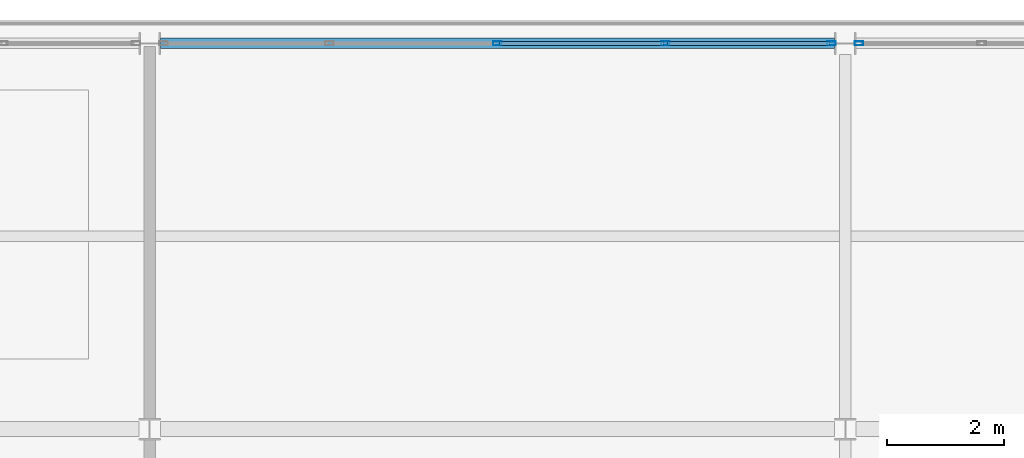
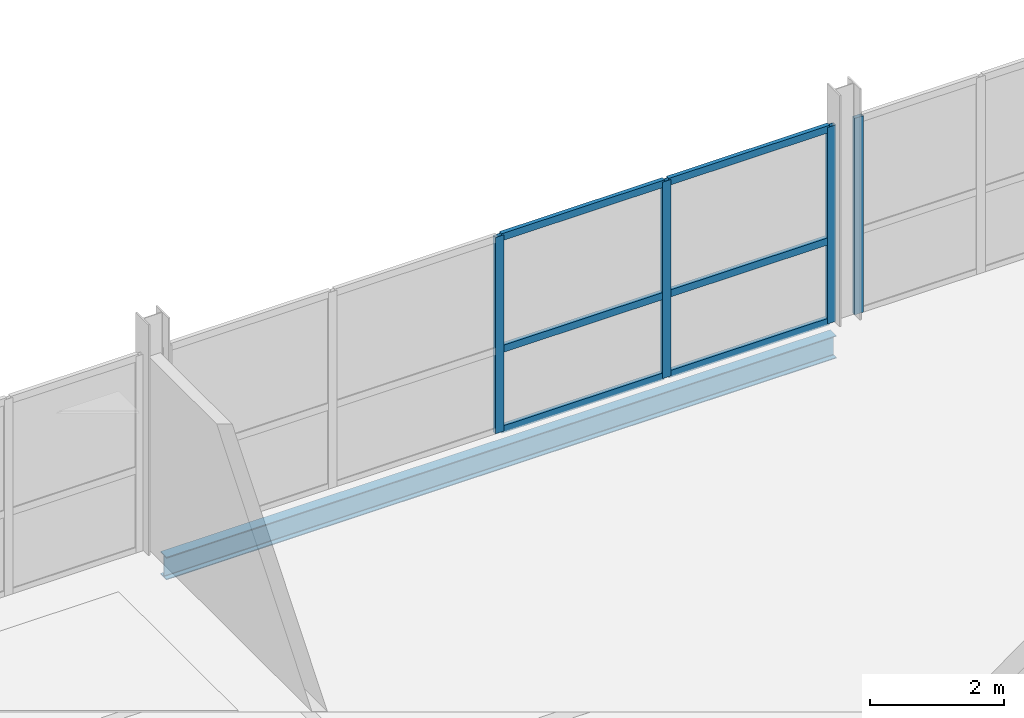
# One storey, part 12 of 20: 10 members, 1 beam, 2 elements without a shape of their own.
"""IFC4 building model written with IfcOpenShell, lengths in metres."""

from ifc_helpers import new_model, si_unit, direction, frame, origin, origin_2d, place, context, subcontext, project, spatial, hollow_rectangle, i_section, extrude, material, layer, layer_set, material_profile, profile_set, type_object, element, aggregate, save


model = new_model("IFC4")

# Units and contexts
model_context = context("Model", 3, precision=1e-05, world=origin(), true_north=direction((0.0, 1.0)))
body_context = subcontext(model_context, "Body", "Model", "MODEL_VIEW")
ifc_project = project(units=[si_unit("LENGTHUNIT", "METRE"), si_unit("AREAUNIT", "SQUARE_METRE"), si_unit("VOLUMEUNIT", "CUBIC_METRE"), si_unit("PLANEANGLEUNIT", "RADIAN"), si_unit("MASSUNIT", "GRAM", prefix="KILO")], contexts=[model_context])

# Site, building, storey
site_placement = place(None, origin())
site = spatial("IfcSite", under=ifc_project, at=site_placement, CompositionType="ELEMENT")
building_placement = place(site_placement, origin())
building = spatial("IfcBuilding", under=site, at=building_placement, Name="Quillay Park Conservatory", CompositionType="ELEMENT")
storey_placement = place(building_placement, frame((0.0, 0.0, 30.89990234375)))
storey = spatial("IfcBuildingStorey", under=building, at=storey_placement, Name="L07", CompositionType="ELEMENT", Elevation=30.89990234375)

# Curtain wall, members
ifc_material_1 = material(Name="Thermally Broken Anodised Aluminium 6063-T6", Category="aluminium")
ifc_layer = layer(ifc_material_1, 0.199951171875)
ifc_layer_set = layer_set([ifc_layer], Name="UNITISED CURTAIN WALL HERBARIUM (Thermally Broken Anodised Aluminium 6063-T6)")
curtain_wall_type = type_object("IfcCurtainWallType", Name="UNITISED CURTAIN WALL HERBARIUM", PredefinedType="USERDEFINED", material=ifc_layer_set)
curtain_wall_1_placement = place(storey_placement, origin())
curtain_wall_1 = element("IfcCurtainWall", 1, at=curtain_wall_1_placement, inside=storey, type_object=curtain_wall_type, Name="L07 Unitised Curtain Wall 076", ObjectType="UNITISED CURTAIN WALL", PredefinedType="USERDEFINED")
ifc_material_2 = material(Name="Thermally Broken Anodised Aluminium 6063-T6", Category="aluminium")
ifc_material_profile_1 = material_profile(ifc_material_2, hollow_rectangle(XDim=0.070068359375, YDim=0.14990234375, WallThickness=0.00341796875, at=origin_2d()), Name="AL70x150x3.5")
ifc_profile_set_1 = profile_set([ifc_material_profile_1], Name="Thermally Broken Anodised Aluminium 6063-T6")
member_type_1 = type_object("IfcMemberType", Name="CURTAIN WALL MULLION 70 X150", PredefinedType="MULLION", material=ifc_profile_set_1)
member_1_placement = place(storey_placement, frame((13.800048828125, 113.39990234375, 0.0), z_axis=(0.0, 0.0, 1.0), x_axis=(0.0, 1.0, 0.0)))
member_1 = element("IfcMember", 2, at=member_1_placement, type_object=member_type_1, Name="CW-T2 mullion 3", PredefinedType="MULLION", context=body_context, shape_type="SweptSolid", body=[
    extrude(hollow_rectangle(XDim=0.070068359375, YDim=0.14990234375, WallThickness=0.00341796875, at=origin_2d()), origin(), (0.0, 0.0, 1.0), 3.57421875),
])
member_2_placement = place(storey_placement, frame((16.675048828125, 113.39990234375, 0.0), z_axis=(0.0, 0.0, 1.0), x_axis=(0.0, 1.0, 0.0)))
member_2 = element("IfcMember", 3, at=member_2_placement, type_object=member_type_1, Name="CW-T2 mullion 4", PredefinedType="MULLION", context=body_context, shape_type="SweptSolid", body=[
    extrude(hollow_rectangle(XDim=0.070068359375, YDim=0.14990234375, WallThickness=0.00341796875, at=origin_2d()), origin(), (0.0, 0.0, 1.0), 3.57421875),
])
member_3_placement = place(storey_placement, frame((19.514892578125, 113.39990234375, 0.0), z_axis=(0.0, 0.0, 1.0), x_axis=(0.0, 1.0, 0.0)))
member_3 = element("IfcMember", 4, at=member_3_placement, type_object=member_type_1, Name="CW-T2 mullion 5", PredefinedType="MULLION", context=body_context, shape_type="SweptSolid", body=[
    extrude(hollow_rectangle(XDim=0.070068359375, YDim=0.14990234375, WallThickness=0.00341796875, at=origin_2d()), origin(), (0.0, 0.0, 1.0), 3.57421875),
])

# Curtain wall, member
curtain_wall_2_placement = place(storey_placement, origin())
curtain_wall_2 = element("IfcCurtainWall", 5, at=curtain_wall_2_placement, inside=storey, type_object=curtain_wall_type, Name="L07 Unitised Curtain Wall 077", ObjectType="UNITISED CURTAIN WALL", PredefinedType="USERDEFINED")
member_4_placement = place(storey_placement, frame((19.985107421875, 113.39990234375, 0.0), z_axis=(0.0, 0.0, 1.0), x_axis=(0.0, 1.0, 0.0)))
member_4 = element("IfcMember", 6, at=member_4_placement, type_object=member_type_1, Name="CW-T2 mullion 1", PredefinedType="MULLION", context=body_context, shape_type="SweptSolid", body=[
    extrude(hollow_rectangle(XDim=0.070068359375, YDim=0.14990234375, WallThickness=0.00341796875, at=origin_2d()), origin(), (0.0, 0.0, 1.0), 3.57421875),
])
aggregate(curtain_wall_2, [member_4])

# Member
ifc_material_3 = material(Name="Thermally Broken Anodised Aluminium 6063-T6", Category="aluminium")
ifc_material_profile_2 = material_profile(ifc_material_3, hollow_rectangle(XDim=0.070068359375, YDim=0.1298828125, WallThickness=0.003173828125, at=origin_2d()), Name="AL70x130x3.2")
ifc_profile_set_2 = profile_set([ifc_material_profile_2], Name="Thermally Broken Anodised Aluminium 6063-T6")
member_type_2 = type_object("IfcMemberType", Name="CURTAIN WALL TRANSOM 70 X130", PredefinedType="USERDEFINED", material=ifc_profile_set_2)
member_5_placement = place(storey_placement, frame((13.8349609375, 113.39990234375, 0.03515625), z_axis=(1.0, 0.0, 0.0), x_axis=(0.0, 1.0, 0.0)))
member_5 = element("IfcMember", 7, at=member_5_placement, type_object=member_type_2, Name="CW-T2 transom 3.1", ObjectType="TRANSOM", PredefinedType="USERDEFINED", context=body_context, shape_type="SweptSolid", body=[
    extrude(hollow_rectangle(XDim=0.070068359375, YDim=0.1298828125, WallThickness=0.003173828125, at=origin_2d()), origin(), (0.0, 0.0, 1.0), 2.804931640625),
])

member_6_placement = place(storey_placement, frame((13.8349609375, 113.39990234375, 1.501220703125), z_axis=(1.0, 0.0, 0.0), x_axis=(0.0, 1.0, 0.0)))
member_6 = element("IfcMember", 8, at=member_6_placement, type_object=member_type_2, Name="CW-T2 transom 3.2", ObjectType="TRANSOM", PredefinedType="USERDEFINED", context=body_context, shape_type="SweptSolid", body=[
    extrude(hollow_rectangle(XDim=0.070068359375, YDim=0.1298828125, WallThickness=0.003173828125, at=origin_2d()), origin(), (0.0, 0.0, 1.0), 2.804931640625),
])

member_7_placement = place(storey_placement, frame((13.8349609375, 113.39990234375, 3.5390625), z_axis=(1.0, 0.0, 0.0), x_axis=(0.0, 1.0, 0.0)))
member_7 = element("IfcMember", 9, at=member_7_placement, type_object=member_type_2, Name="CW-T2 transom 3.3", ObjectType="TRANSOM", PredefinedType="USERDEFINED", context=body_context, shape_type="SweptSolid", body=[
    extrude(hollow_rectangle(XDim=0.070068359375, YDim=0.1298828125, WallThickness=0.003173828125, at=origin_2d()), origin(), (0.0, 0.0, 1.0), 2.804931640625),
])

member_8_placement = place(storey_placement, frame((16.7099609375, 113.39990234375, 0.03515625), z_axis=(1.0, 0.0, 0.0), x_axis=(0.0, 1.0, 0.0)))
member_8 = element("IfcMember", 10, at=member_8_placement, type_object=member_type_2, Name="CW-T2 transom 4.1", ObjectType="TRANSOM", PredefinedType="USERDEFINED", context=body_context, shape_type="SweptSolid", body=[
    extrude(hollow_rectangle(XDim=0.070068359375, YDim=0.1298828125, WallThickness=0.003173828125, at=origin_2d()), origin(), (0.0, 0.0, 1.0), 2.77001953125),
])

member_9_placement = place(storey_placement, frame((16.7099609375, 113.39990234375, 1.501220703125), z_axis=(1.0, 0.0, 0.0), x_axis=(0.0, 1.0, 0.0)))
member_9 = element("IfcMember", 11, at=member_9_placement, type_object=member_type_2, Name="CW-T2 transom 4.2", ObjectType="TRANSOM", PredefinedType="USERDEFINED", context=body_context, shape_type="SweptSolid", body=[
    extrude(hollow_rectangle(XDim=0.070068359375, YDim=0.1298828125, WallThickness=0.003173828125, at=origin_2d()), origin(), (0.0, 0.0, 1.0), 2.77001953125),
])

member_10_placement = place(storey_placement, frame((16.7099609375, 113.39990234375, 3.5390625), z_axis=(1.0, 0.0, 0.0), x_axis=(0.0, 1.0, 0.0)))
member_10 = element("IfcMember", 12, at=member_10_placement, type_object=member_type_2, Name="CW-T2 transom 4.3", ObjectType="TRANSOM", PredefinedType="USERDEFINED", context=body_context, shape_type="SweptSolid", body=[
    extrude(hollow_rectangle(XDim=0.070068359375, YDim=0.1298828125, WallThickness=0.003173828125, at=origin_2d()), origin(), (0.0, 0.0, 1.0), 2.77001953125),
])

aggregate(curtain_wall_1, [member_1, member_2, member_3, member_5, member_6, member_7, member_8, member_9, member_10])

# Beam
ifc_material_4 = material(Name="Steel ASTM A992 Grade 50", Category="steel")
ifc_material_profile_3 = material_profile(ifc_material_4, i_section(OverallWidth=0.179931640625, OverallDepth=0.4130859375, WebThickness=0.009765625, FlangeThickness=0.01611328125, FilletRadius=0.011962890625, at=origin_2d()), Name="W410x74")
ifc_profile_set_3 = profile_set([ifc_material_profile_3], Name="Steel ASTM A992 Grade 50")
beam_type = type_object("IfcBeamType", Name="PERIMETER SPANDREL BEAM W410 X74", PredefinedType="SPANDREL", material=ifc_profile_set_3)
beam_placement = place(storey_placement, frame((8.035888671875, 113.39990234375, -0.426513671875), z_axis=(1.0, 0.0, 0.0), x_axis=(0.0, 1.0, 0.0)))
element("IfcBeam", 13, at=beam_placement, inside=storey, type_object=beam_type, Name="L07 beam BM-SP-0536", PredefinedType="SPANDREL", context=body_context, shape_type="SweptSolid", body=[
    extrude(i_section(OverallWidth=0.179931640625, OverallDepth=0.4130859375, WebThickness=0.009765625, FlangeThickness=0.01611328125, FilletRadius=0.011962890625, at=origin_2d()), origin(), (0.0, 0.0, 1.0), 11.528076171875),
])

save(model, "model.ifc")
